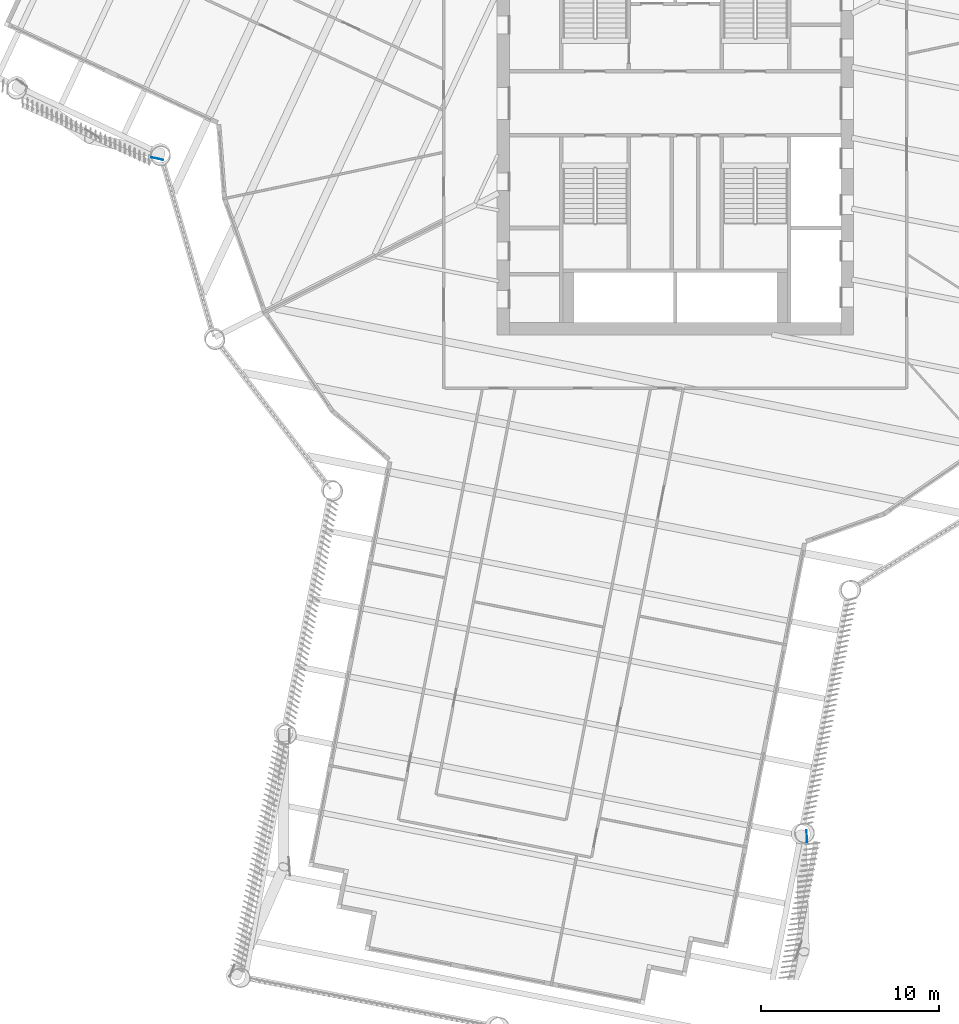
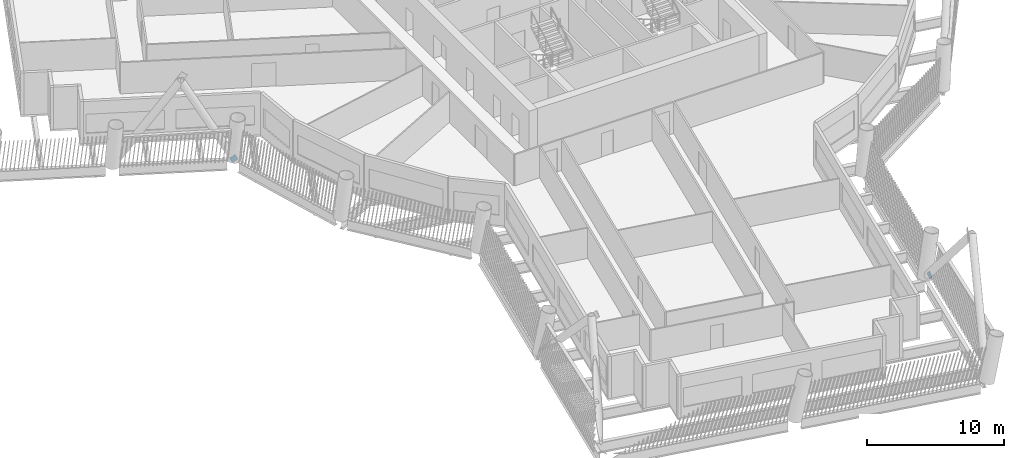
# One storey, part 13 of 24: 2 discrete accessories.
"""IFC4 building model written with IfcOpenShell, lengths in metres."""

from ifc_helpers import new_model, si_unit, direction, frame, origin, origin_2d, place, context, subcontext, project, spatial, rectangle, extrude, material, material_profile, profile_set, type_object, element, save


model = new_model("IFC4")

# Units and contexts
model_context = context("Model", 3, precision=1e-05, world=origin(), true_north=direction((0.0, 1.0)))
body_context = subcontext(model_context, "Body", "Model", "MODEL_VIEW")
ifc_project = project(units=[si_unit("LENGTHUNIT", "METRE"), si_unit("AREAUNIT", "SQUARE_METRE"), si_unit("VOLUMEUNIT", "CUBIC_METRE"), si_unit("PLANEANGLEUNIT", "RADIAN"), si_unit("MASSUNIT", "GRAM", prefix="KILO")], contexts=[model_context])

# Site, building, storey
site_placement = place(None, origin())
site = spatial("IfcSite", under=ifc_project, at=site_placement, CompositionType="ELEMENT")
building_placement = place(site_placement, origin())
building = spatial("IfcBuilding", under=site, at=building_placement, Name="Tarsis Ring Headquarters", CompositionType="ELEMENT")
storey_placement = place(building_placement, frame((0.0, 0.0, 178.800048828125)))
storey = spatial("IfcBuildingStorey", under=building, at=storey_placement, Name="L41", CompositionType="ELEMENT", Elevation=178.800048828125)

# Discrete accessories
ifc_material = material(Name="Structural steel S355", Category="steel")
ifc_material_profile = material_profile(ifc_material, rectangle(XDim=0.02490234375, YDim=0.5, at=origin_2d()), Name="PL 25x500")
ifc_profile_set = profile_set([ifc_material_profile], Name="Structural steel S355")
discrete_accessory_type = type_object("IfcDiscreteAccessoryType", Name="Gusset plate Exo brace 25", PredefinedType="BRACKET", material=ifc_profile_set)
for number, where, z_axis, x_axis, name in (
    (1, (7.38037109375, -41.006591796875, 0.0), (0.016114950731, -0.647039688422, 0.762286002737), (0.999689998252, 0.024897939579, 0.0), "Gusset plate GP5"),
    (2, (-28.9775390625, -3.1298828125, 0.0), (-0.453108309759, 0.096676126436, 0.88619782566), (-0.208665351442, -0.977987101708, 0.0), "Gusset plate GP5"),
):
    element("IfcDiscreteAccessory", number, at=place(storey_placement, frame(where, z_axis=z_axis, x_axis=x_axis)), inside=storey, type_object=discrete_accessory_type, Name=name, PredefinedType="BRACKET", context=body_context, shape_type="SweptSolid", body=[
        extrude(rectangle(XDim=0.02490234375, YDim=0.5, at=origin_2d()), origin(), (0.0, 0.0, 1.0), 0.5),
    ])

save(model, "model.ifc")
